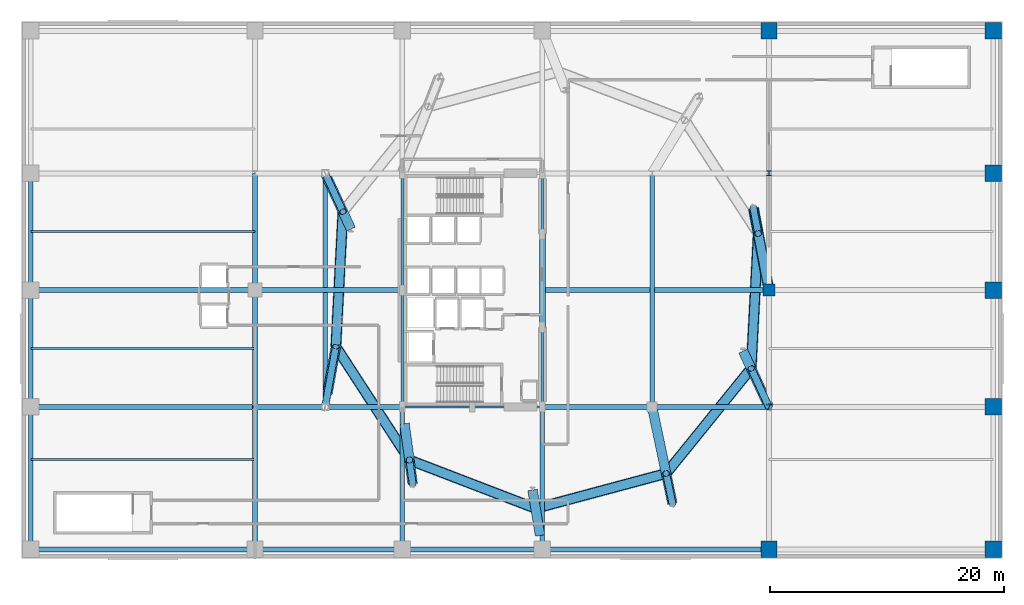
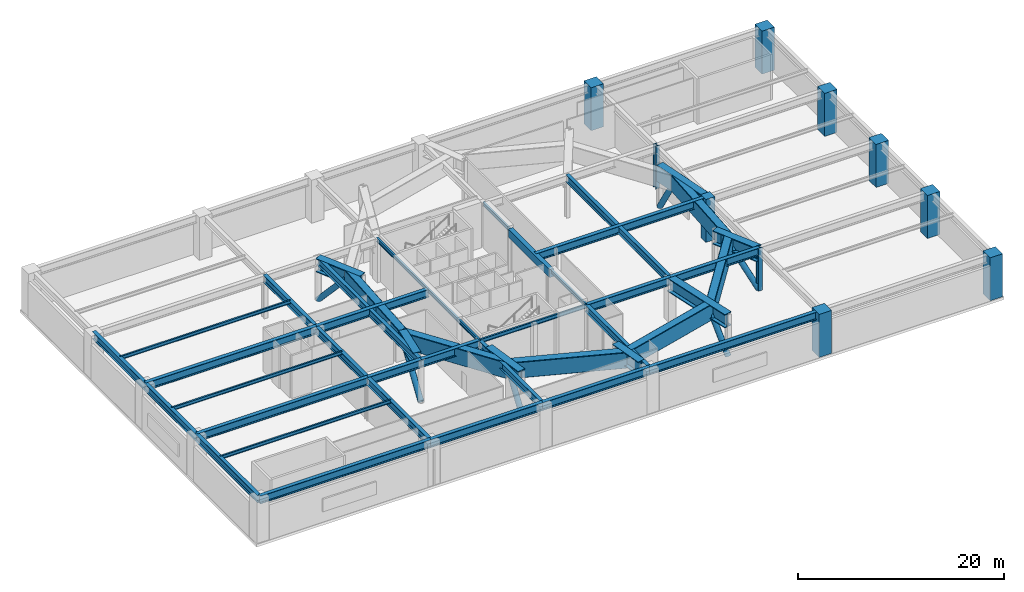
# One storey, part 3 of 12: 45 beams, 10 columns, 6 members.
"""IFC4 building model written with IfcOpenShell, lengths in metres."""

from ifc_helpers import new_model, si_unit, direction, frame, origin, origin_2d, place, context, subcontext, project, spatial, rectangle, hollow_rectangle, hollow_circle, i_section, extrude, material, material_profile, profile_set, type_object, element, save


model = new_model("IFC4")

# Units and contexts
model_context = context("Model", 3, precision=1e-05, world=origin(), true_north=direction((0.0, 1.0)))
body_context = subcontext(model_context, "Body", "Model", "MODEL_VIEW")
ifc_project = project(units=[si_unit("LENGTHUNIT", "METRE"), si_unit("AREAUNIT", "SQUARE_METRE"), si_unit("VOLUMEUNIT", "CUBIC_METRE"), si_unit("PLANEANGLEUNIT", "RADIAN"), si_unit("MASSUNIT", "GRAM", prefix="KILO")], contexts=[model_context])

# Site, building, storey
site_placement = place(None, origin())
site = spatial("IfcSite", under=ifc_project, at=site_placement, CompositionType="ELEMENT")
building_placement = place(site_placement, origin())
building = spatial("IfcBuilding", under=site, at=building_placement, Name="Soratama Intermodal Tower", CompositionType="ELEMENT")
storey_placement = place(building_placement, frame((0.0, 0.0, 25.199951171875)))
storey = spatial("IfcBuildingStorey", under=building, at=storey_placement, Name="L05", CompositionType="ELEMENT", Elevation=25.199951171875)

# Columns
ifc_material_1 = material(Name="Concrete f'c 56 MPa", Category="concrete")
ifc_material_profile_1 = material_profile(ifc_material_1, rectangle(XDim=1.39990234375, YDim=1.39990234375, at=origin_2d()), Name="RC1400X1400")
ifc_profile_set_1 = profile_set([ifc_material_profile_1], Name="Concrete f'c 56 MPa")
column_type_1 = type_object("IfcColumnType", Name="COL-POD-EXT-RC1400", PredefinedType="COLUMN", material=ifc_profile_set_1)
for number, where, z_axis, x_axis, name in (
    (1, (64.0, 2.800048828125, 0.0), (0.0, 0.0, 1.0), (1.0, 0.0, 0.0), "L05 Station Column P03"),
    (2, (83.199951171875, 2.800048828125, 0.0), (0.0, 0.0, 1.0), (1.0, 0.0, 0.0), "L05 Station Column P04"),
    (3, (83.199951171875, 15.0, 0.0), (0.0, 0.0, 1.0), (1.0, 0.0, 0.0), "L05 Station Column P08"),
    (4, (83.199951171875, 35.0, 0.0), (0.0, 0.0, 1.0), (1.0, 0.0, 0.0), "L05 Station Column P12"),
    (5, (64.0, 47.199951171875, 0.0), (0.0, 0.0, 1.0), (1.0, 0.0, 0.0), "L05 Station Column P15"),
    (6, (83.199951171875, 47.199951171875, 0.0), (0.0, 0.0, 1.0), (1.0, 0.0, 0.0), "L05 Station Column P16"),
    (7, (83.199951171875, 25.0, 0.0), (0.0, 0.0, 1.0), (1.0, 0.0, 0.0), "L05 Station Column P20"),
):
    element("IfcColumn", number, at=place(storey_placement, frame(where, z_axis=z_axis, x_axis=x_axis)), inside=storey, type_object=column_type_1, Name=name, PredefinedType="COLUMN", context=body_context, shape_type="SweptSolid", body=[
        extrude(rectangle(XDim=1.39990234375, YDim=1.39990234375, at=origin_2d()), origin(), (0.0, 0.0, 1.0), 5.10009765625),
    ])
ifc_material_2 = material(Name="Concrete f'c 56 MPa", Category="concrete")
ifc_material_profile_2 = material_profile(ifc_material_2, rectangle(XDim=1.0, YDim=1.0, at=origin_2d()), Name="RC1000X1000")
ifc_profile_set_2 = profile_set([ifc_material_profile_2], Name="Concrete f'c 56 MPa")
column_type_2 = type_object("IfcColumnType", Name="COL-POD-RC1000", PredefinedType="COLUMN", material=ifc_profile_set_2)
column_placement = place(storey_placement, frame((64.0, 25.0, 0.0), z_axis=(0.0, 0.0, 1.0), x_axis=(1.0, 0.0, 0.0)))
element("IfcColumn", 8, at=column_placement, inside=storey, type_object=column_type_2, Name="L05 Station Column P19", PredefinedType="COLUMN", context=body_context, shape_type="SweptSolid", body=[
    extrude(rectangle(XDim=1.0, YDim=1.0, at=origin_2d()), origin(), (0.0, 0.0, 1.0), 5.10009765625),
])
ifc_material_3 = material(Name="Structural steel ASTM A992 Grade 50", Category="steel")
ifc_material_profile_3 = material_profile(ifc_material_3, i_section(OverallWidth=0.431884765625, OverallDepth=0.498046875, WebThickness=0.0556640625, FlangeThickness=0.0888671875, FilletRadius=0.0380859375, at=origin_2d()), Name="W14X500")
ifc_profile_set_3 = profile_set([ifc_material_profile_3], Name="Structural steel ASTM A992 Grade 50")
column_type_3 = type_object("IfcColumnType", Name="COL-POD-W14X500", PredefinedType="COLUMN", material=ifc_profile_set_3)
for number, where, z_axis, x_axis, name in (
    (9, (64.0, 15.0, 0.0), (0.0, 0.0, 1.0), (1.0, 0.0, 0.0), "L05 Station Column P07"),
    (10, (64.0, 35.0, 0.0), (0.0, 0.0, 1.0), (1.0, 0.0, 0.0), "L05 Station Column P11"),
):
    element("IfcColumn", number, at=place(storey_placement, frame(where, z_axis=z_axis, x_axis=x_axis)), inside=storey, type_object=column_type_3, Name=name, PredefinedType="COLUMN", context=body_context, shape_type="SweptSolid", body=[
        extrude(i_section(OverallWidth=0.431884765625, OverallDepth=0.498046875, WebThickness=0.0556640625, FlangeThickness=0.0888671875, FilletRadius=0.0380859375, at=origin_2d()), origin(), (0.0, 0.0, 1.0), 5.10009765625),
    ])

# Beams
ifc_material_4 = material(Name="Concrete f'c 56 MPa", Category="concrete")
ifc_material_profile_4 = material_profile(ifc_material_4, rectangle(XDim=0.5, YDim=0.949951171875, at=origin_2d()), Name="RC500X950")
ifc_profile_set_4 = profile_set([ifc_material_profile_4], Name="Concrete f'c 56 MPa")
beam_type_1 = type_object("IfcBeamType", Name="BM-CPL-RC500X950", PredefinedType="BEAM", material=ifc_profile_set_4)
beam_1_placement = place(storey_placement, frame((44.60009765625, 21.800048828125, 4.625), z_axis=(0.0, 1.0, 0.0), x_axis=(-1.0, 0.0, 0.0)))
element("IfcBeam", 11, at=beam_1_placement, inside=storey, type_object=beam_type_1, Name="L05 Core Coupling Beam East", PredefinedType="BEAM", context=body_context, shape_type="SweptSolid", body=[
    extrude(rectangle(XDim=0.5, YDim=0.949951171875, at=origin_2d()), origin(), (0.0, 0.0, 1.0), 8.0),
])
ifc_material_5 = material(Name="Structural steel ASTM A992 Grade 50", Category="steel")
ifc_material_profile_5 = material_profile(ifc_material_5, i_section(OverallWidth=0.19091796875, OverallDepth=0.4599609375, WebThickness=0.010009765625, FlangeThickness=0.01611328125, FilletRadius=0.010986328125, at=origin_2d()), Name="W18X55")
ifc_profile_set_5 = profile_set([ifc_material_profile_5], Name="Structural steel ASTM A992 Grade 50")
beam_type_2 = type_object("IfcBeamType", Name="BM-FLR-W18X55", PredefinedType="BEAM", material=ifc_profile_set_5)
for number, where, z_axis, x_axis, name in (
    (12, (32.60009765625, 15.0, 4.8701171875), (1.0, 0.0, 0.0), (0.0, 1.0, 0.0), "BM-L05-CRING-01"),
    (13, (38.60009765625, 15.0, 4.8701171875), (1.0, 0.0, 0.0), (0.0, 1.0, 0.0), "BM-L05-CRING-02"),
):
    element("IfcBeam", number, at=place(storey_placement, frame(where, z_axis=z_axis, x_axis=x_axis)), inside=storey, type_object=beam_type_2, Name=name, PredefinedType="BEAM", context=body_context, shape_type="SweptSolid", body=[
        extrude(i_section(OverallWidth=0.19091796875, OverallDepth=0.4599609375, WebThickness=0.010009765625, FlangeThickness=0.01611328125, FilletRadius=0.010986328125, at=origin_2d()), origin(), (0.0, 0.0, 1.0), 6.0),
    ])
beam_2_placement = place(storey_placement, frame((44.60009765625, 15.0, 4.8701171875), z_axis=(0.0, 1.0, 0.0), x_axis=(-1.0, 0.0, 0.0)))
element("IfcBeam", 14, at=beam_2_placement, inside=storey, type_object=beam_type_2, Name="BM-L05-CRING-03", PredefinedType="BEAM", context=body_context, shape_type="SweptSolid", body=[
    extrude(i_section(OverallWidth=0.19091796875, OverallDepth=0.4599609375, WebThickness=0.010009765625, FlangeThickness=0.01611328125, FilletRadius=0.010986328125, at=origin_2d()), origin(), (0.0, 0.0, 1.0), 6.800048828125),
])
beam_3_placement = place(storey_placement, frame((44.60009765625, 29.800048828125, 4.8701171875), z_axis=(0.0, 1.0, 0.0), x_axis=(-1.0, 0.0, 0.0)))
element("IfcBeam", 15, at=beam_3_placement, inside=storey, type_object=beam_type_2, Name="BM-L05-CRING-05", PredefinedType="BEAM", context=body_context, shape_type="SweptSolid", body=[
    extrude(i_section(OverallWidth=0.19091796875, OverallDepth=0.4599609375, WebThickness=0.010009765625, FlangeThickness=0.01611328125, FilletRadius=0.010986328125, at=origin_2d()), origin(), (0.0, 0.0, 1.0), 5.199951171875),
])
for number, where, z_axis, x_axis, name in (
    (16, (32.60009765625, 35.0, 4.8701171875), (0.0, -1.0, 0.0), (1.0, 0.0, 0.0), "BM-L05-CRING-08"),
    (17, (32.60009765625, 25.0, 4.8701171875), (0.0, -1.0, 0.0), (1.0, 0.0, 0.0), "BM-L05-CRING-09"),
):
    element("IfcBeam", number, at=place(storey_placement, frame(where, z_axis=z_axis, x_axis=x_axis)), inside=storey, type_object=beam_type_2, Name=name, PredefinedType="BEAM", context=body_context, shape_type="SweptSolid", body=[
        extrude(i_section(OverallWidth=0.19091796875, OverallDepth=0.4599609375, WebThickness=0.010009765625, FlangeThickness=0.01611328125, FilletRadius=0.010986328125, at=origin_2d()), origin(), (0.0, 0.0, 1.0), 10.0),
    ])
ifc_material_6 = material(Name="Structural steel ASTM A992 Grade 50", Category="steel")
ifc_material_profile_6 = material_profile(ifc_material_6, i_section(OverallWidth=0.177978515625, OverallDepth=0.406982421875, WebThickness=0.0078125, FlangeThickness=0.0126953125, FilletRadius=0.010009765625, at=origin_2d()), Name="W16X40")
ifc_profile_set_6 = profile_set([ifc_material_profile_6], Name="Structural steel ASTM A992 Grade 50")
beam_type_3 = type_object("IfcBeamType", Name="BM-JST-W16X40", PredefinedType="JOIST", material=ifc_profile_set_6)
for number, where, z_axis, x_axis, name in (
    (18, (0.800048828125, 10.5, 4.896484375), (1.0, 0.0, 0.0), (0.0, 1.0, 0.0), "JST-L05-W1"),
    (19, (0.800048828125, 20.0, 4.896484375), (1.0, 0.0, 0.0), (0.0, 1.0, 0.0), "JST-L05-W2"),
    (20, (0.800048828125, 30.0, 4.896484375), (1.0, 0.0, 0.0), (0.0, 1.0, 0.0), "JST-L05-W3"),
):
    element("IfcBeam", number, at=place(storey_placement, frame(where, z_axis=z_axis, x_axis=x_axis)), inside=storey, type_object=beam_type_3, Name=name, PredefinedType="JOIST", context=body_context, shape_type="SweptSolid", body=[
        extrude(i_section(OverallWidth=0.177978515625, OverallDepth=0.406982421875, WebThickness=0.0078125, FlangeThickness=0.0126953125, FilletRadius=0.010009765625, at=origin_2d()), origin(), (0.0, 0.0, 1.0), 19.199951171875),
    ])
ifc_material_7 = material(Name="Structural steel ASTM A992 Grade 50", Category="steel")
ifc_material_profile_7 = material_profile(ifc_material_7, i_section(OverallWidth=0.403076171875, OverallDepth=0.867919921875, WebThickness=0.02099609375, FlangeThickness=0.03564453125, FilletRadius=0.01806640625, at=origin_2d()), Name="W33X241")
ifc_profile_set_7 = profile_set([ifc_material_profile_7], Name="Structural steel ASTM A992 Grade 50")
beam_type_4 = type_object("IfcBeamType", Name="BM-POD-EXT-W33", PredefinedType="BEAM", material=ifc_profile_set_7)
beam_4_placement = place(storey_placement, frame((0.800048828125, 2.800048828125, 4.666015625), z_axis=(0.0, 1.0, 0.0), x_axis=(-1.0, 0.0, 0.0)))
element("IfcBeam", 21, at=beam_4_placement, inside=storey, type_object=beam_type_4, Name="L05 Station Girder Y1-1", PredefinedType="BEAM", context=body_context, shape_type="SweptSolid", body=[
    extrude(i_section(OverallWidth=0.403076171875, OverallDepth=0.867919921875, WebThickness=0.02099609375, FlangeThickness=0.03564453125, FilletRadius=0.01806640625, at=origin_2d()), origin(), (0.0, 0.0, 1.0), 12.199951171875),
])
for number, where, z_axis, x_axis, name in (
    (22, (0.800048828125, 15.0, 4.666015625), (0.0, 1.0, 0.0), (-1.0, 0.0, 0.0), "L05 Station Girder Y1-2"),
    (23, (0.800048828125, 25.0, 4.666015625), (0.0, 1.0, 0.0), (-1.0, 0.0, 0.0), "L05 Station Girder Y1-3"),
):
    element("IfcBeam", number, at=place(storey_placement, frame(where, z_axis=z_axis, x_axis=x_axis)), inside=storey, type_object=beam_type_4, Name=name, PredefinedType="BEAM", context=body_context, shape_type="SweptSolid", body=[
        extrude(i_section(OverallWidth=0.403076171875, OverallDepth=0.867919921875, WebThickness=0.02099609375, FlangeThickness=0.03564453125, FilletRadius=0.01806640625, at=origin_2d()), origin(), (0.0, 0.0, 1.0), 10.0),
    ])
ifc_material_8 = material(Name="Structural steel ASTM A992 Grade 50", Category="steel")
ifc_material_profile_8 = material_profile(ifc_material_8, i_section(OverallWidth=0.423095703125, OverallDepth=0.93896484375, WebThickness=0.02392578125, FlangeThickness=0.042724609375, FilletRadius=0.02392578125, at=origin_2d()), Name="W36X302")
ifc_profile_set_8 = profile_set([ifc_material_profile_8], Name="Structural steel ASTM A992 Grade 50")
beam_type_5 = type_object("IfcBeamType", Name="BM-POD-EXT-W36", PredefinedType="BEAM", material=ifc_profile_set_8)
beam_5_placement = place(storey_placement, frame((0.800048828125, 2.800048828125, 4.630615234375), z_axis=(1.0, 0.0, 0.0), x_axis=(0.0, 1.0, 0.0)))
element("IfcBeam", 24, at=beam_5_placement, inside=storey, type_object=beam_type_5, Name="L05 Station Girder X1-1", PredefinedType="BEAM", context=body_context, shape_type="SweptSolid", body=[
    extrude(i_section(OverallWidth=0.423095703125, OverallDepth=0.93896484375, WebThickness=0.02392578125, FlangeThickness=0.042724609375, FilletRadius=0.02392578125, at=origin_2d()), origin(), (0.0, 0.0, 1.0), 19.199951171875),
])
beam_6_placement = place(storey_placement, frame((20.0, 2.800048828125, 4.630615234375), z_axis=(1.0, 0.0, 0.0), x_axis=(0.0, 1.0, 0.0)))
element("IfcBeam", 25, at=beam_6_placement, inside=storey, type_object=beam_type_5, Name="L05 Station Girder X1-2", PredefinedType="BEAM", context=body_context, shape_type="SweptSolid", body=[
    extrude(i_section(OverallWidth=0.423095703125, OverallDepth=0.93896484375, WebThickness=0.02392578125, FlangeThickness=0.042724609375, FilletRadius=0.02392578125, at=origin_2d()), origin(), (0.0, 0.0, 1.0), 12.60009765625),
])
beam_7_placement = place(storey_placement, frame((32.60009765625, 2.800048828125, 4.630615234375), z_axis=(1.0, 0.0, 0.0), x_axis=(0.0, 1.0, 0.0)))
element("IfcBeam", 26, at=beam_7_placement, inside=storey, type_object=beam_type_5, Name="L05 Station Girder X1-3", PredefinedType="BEAM", context=body_context, shape_type="SweptSolid", body=[
    extrude(i_section(OverallWidth=0.423095703125, OverallDepth=0.93896484375, WebThickness=0.02392578125, FlangeThickness=0.042724609375, FilletRadius=0.02392578125, at=origin_2d()), origin(), (0.0, 0.0, 1.0), 12.0),
])
beam_8_placement = place(storey_placement, frame((44.60009765625, 2.800048828125, 4.630615234375), z_axis=(1.0, 0.0, 0.0), x_axis=(0.0, 1.0, 0.0)))
element("IfcBeam", 27, at=beam_8_placement, inside=storey, type_object=beam_type_5, Name="L05 Station Girder X1-4", PredefinedType="BEAM", context=body_context, shape_type="SweptSolid", body=[
    extrude(i_section(OverallWidth=0.423095703125, OverallDepth=0.93896484375, WebThickness=0.02392578125, FlangeThickness=0.042724609375, FilletRadius=0.02392578125, at=origin_2d()), origin(), (0.0, 0.0, 1.0), 19.39990234375),
])
ifc_material_9 = material(Name="Structural steel ASTM A992 Grade 50", Category="steel")
ifc_material_profile_9 = material_profile(ifc_material_9, i_section(OverallWidth=0.403076171875, OverallDepth=0.867919921875, WebThickness=0.02099609375, FlangeThickness=0.03564453125, FilletRadius=0.01806640625, at=origin_2d()), Name="W33X241")
ifc_profile_set_9 = profile_set([ifc_material_profile_9], Name="Structural steel ASTM A992 Grade 50")
beam_type_6 = type_object("IfcBeamType", Name="BM-POD-W33X241", PredefinedType="BEAM", material=ifc_profile_set_9)
beam_9_placement = place(storey_placement, frame((20.0, 2.800048828125, 4.666015625), z_axis=(0.0, 1.0, 0.0), x_axis=(-1.0, 0.0, 0.0)))
element("IfcBeam", 28, at=beam_9_placement, inside=storey, type_object=beam_type_6, Name="L05 Station Girder Y2-1", PredefinedType="BEAM", context=body_context, shape_type="SweptSolid", body=[
    extrude(i_section(OverallWidth=0.403076171875, OverallDepth=0.867919921875, WebThickness=0.02099609375, FlangeThickness=0.03564453125, FilletRadius=0.01806640625, at=origin_2d()), origin(), (0.0, 0.0, 1.0), 12.199951171875),
])
for number, where, z_axis, x_axis, name in (
    (29, (20.0, 15.0, 4.666015625), (0.0, 1.0, 0.0), (-1.0, 0.0, 0.0), "L05 Station Girder Y2-2"),
    (30, (20.0, 25.0, 4.666015625), (0.0, 1.0, 0.0), (-1.0, 0.0, 0.0), "L05 Station Girder Y2-3"),
):
    element("IfcBeam", number, at=place(storey_placement, frame(where, z_axis=z_axis, x_axis=x_axis)), inside=storey, type_object=beam_type_6, Name=name, PredefinedType="BEAM", context=body_context, shape_type="SweptSolid", body=[
        extrude(i_section(OverallWidth=0.403076171875, OverallDepth=0.867919921875, WebThickness=0.02099609375, FlangeThickness=0.03564453125, FilletRadius=0.01806640625, at=origin_2d()), origin(), (0.0, 0.0, 1.0), 10.0),
    ])
for number, where, z_axis, x_axis, name in (
    (31, (32.60009765625, 2.800048828125, 4.666015625), (0.0, 1.0, 0.0), (-1.0, 0.0, 0.0), "BM-L05-GYC-1-1"),
    (32, (44.60009765625, 2.800048828125, 4.666015625), (0.0, 1.0, 0.0), (-1.0, 0.0, 0.0), "BM-L05-GYC-2-1"),
):
    element("IfcBeam", number, at=place(storey_placement, frame(where, z_axis=z_axis, x_axis=x_axis)), inside=storey, type_object=beam_type_6, Name=name, PredefinedType="BEAM", context=body_context, shape_type="SweptSolid", body=[
        extrude(i_section(OverallWidth=0.403076171875, OverallDepth=0.867919921875, WebThickness=0.02099609375, FlangeThickness=0.03564453125, FilletRadius=0.01806640625, at=origin_2d()), origin(), (0.0, 0.0, 1.0), 12.199951171875),
    ])
for number, where, z_axis, x_axis, name in (
    (33, (26.0, 15.0, 4.666015625), (0.0, 1.0, 0.0), (-1.0, 0.0, 0.0), "BM-L05-GYS-1"),
    (34, (54.0, 15.0, 4.666015625), (0.0, 1.0, 0.0), (-1.0, 0.0, 0.0), "BM-L05-GYS-2"),
):
    element("IfcBeam", number, at=place(storey_placement, frame(where, z_axis=z_axis, x_axis=x_axis)), inside=storey, type_object=beam_type_6, Name=name, PredefinedType="BEAM", context=body_context, shape_type="SweptSolid", body=[
        extrude(i_section(OverallWidth=0.403076171875, OverallDepth=0.867919921875, WebThickness=0.02099609375, FlangeThickness=0.03564453125, FilletRadius=0.01806640625, at=origin_2d()), origin(), (0.0, 0.0, 1.0), 20.0),
    ])
ifc_material_10 = material(Name="Structural steel ASTM A992 Grade 50", Category="steel")
ifc_material_profile_10 = material_profile(ifc_material_10, i_section(OverallWidth=0.423095703125, OverallDepth=0.93896484375, WebThickness=0.02392578125, FlangeThickness=0.042724609375, FilletRadius=0.02392578125, at=origin_2d()), Name="W36X302")
ifc_profile_set_10 = profile_set([ifc_material_profile_10], Name="Structural steel ASTM A992 Grade 50")
beam_type_7 = type_object("IfcBeamType", Name="BM-POD-W36X302", PredefinedType="BEAM", material=ifc_profile_set_10)
beam_10_placement = place(storey_placement, frame((0.800048828125, 15.0, 4.630615234375), z_axis=(1.0, 0.0, 0.0), x_axis=(0.0, 1.0, 0.0)))
element("IfcBeam", 35, at=beam_10_placement, inside=storey, type_object=beam_type_7, Name="L05 Station Girder X2-1", PredefinedType="BEAM", context=body_context, shape_type="SweptSolid", body=[
    extrude(i_section(OverallWidth=0.423095703125, OverallDepth=0.93896484375, WebThickness=0.02392578125, FlangeThickness=0.042724609375, FilletRadius=0.02392578125, at=origin_2d()), origin(), (0.0, 0.0, 1.0), 19.199951171875),
])
beam_11_placement = place(storey_placement, frame((20.0, 15.0, 4.630615234375), z_axis=(1.0, 0.0, 0.0), x_axis=(0.0, 1.0, 0.0)))
element("IfcBeam", 36, at=beam_11_placement, inside=storey, type_object=beam_type_7, Name="L05 Station Girder X2-2", PredefinedType="BEAM", context=body_context, shape_type="SweptSolid", body=[
    extrude(i_section(OverallWidth=0.423095703125, OverallDepth=0.93896484375, WebThickness=0.02392578125, FlangeThickness=0.042724609375, FilletRadius=0.02392578125, at=origin_2d()), origin(), (0.0, 0.0, 1.0), 6.0),
])
beam_12_placement = place(storey_placement, frame((26.0, 15.0, 4.630615234375), z_axis=(1.0, 0.0, 0.0), x_axis=(0.0, 1.0, 0.0)))
element("IfcBeam", 37, at=beam_12_placement, inside=storey, type_object=beam_type_7, Name="L05 Station Girder X2-3", PredefinedType="BEAM", context=body_context, shape_type="SweptSolid", body=[
    extrude(i_section(OverallWidth=0.423095703125, OverallDepth=0.93896484375, WebThickness=0.02392578125, FlangeThickness=0.042724609375, FilletRadius=0.02392578125, at=origin_2d()), origin(), (0.0, 0.0, 1.0), 6.60009765625),
])
beam_13_placement = place(storey_placement, frame((44.60009765625, 15.0, 4.630615234375), z_axis=(1.0, 0.0, 0.0), x_axis=(0.0, 1.0, 0.0)))
element("IfcBeam", 38, at=beam_13_placement, inside=storey, type_object=beam_type_7, Name="L05 Station Girder X2-4", PredefinedType="BEAM", context=body_context, shape_type="SweptSolid", body=[
    extrude(i_section(OverallWidth=0.423095703125, OverallDepth=0.93896484375, WebThickness=0.02392578125, FlangeThickness=0.042724609375, FilletRadius=0.02392578125, at=origin_2d()), origin(), (0.0, 0.0, 1.0), 9.39990234375),
])
beam_14_placement = place(storey_placement, frame((54.0, 15.0, 4.630615234375), z_axis=(1.0, 0.0, 0.0), x_axis=(0.0, 1.0, 0.0)))
element("IfcBeam", 39, at=beam_14_placement, inside=storey, type_object=beam_type_7, Name="L05 Station Girder X2-5", PredefinedType="BEAM", context=body_context, shape_type="SweptSolid", body=[
    extrude(i_section(OverallWidth=0.423095703125, OverallDepth=0.93896484375, WebThickness=0.02392578125, FlangeThickness=0.042724609375, FilletRadius=0.02392578125, at=origin_2d()), origin(), (0.0, 0.0, 1.0), 10.0),
])
beam_15_placement = place(storey_placement, frame((20.0, 25.0, 4.630615234375), z_axis=(1.0, 0.0, 0.0), x_axis=(0.0, 1.0, 0.0)))
element("IfcBeam", 40, at=beam_15_placement, inside=storey, type_object=beam_type_7, Name="L05 Station Girder X3-1", PredefinedType="BEAM", context=body_context, shape_type="SweptSolid", body=[
    extrude(i_section(OverallWidth=0.423095703125, OverallDepth=0.93896484375, WebThickness=0.02392578125, FlangeThickness=0.042724609375, FilletRadius=0.02392578125, at=origin_2d()), origin(), (0.0, 0.0, 1.0), 12.60009765625),
])
beam_16_placement = place(storey_placement, frame((44.60009765625, 25.0, 4.630615234375), z_axis=(1.0, 0.0, 0.0), x_axis=(0.0, 1.0, 0.0)))
element("IfcBeam", 41, at=beam_16_placement, inside=storey, type_object=beam_type_7, Name="L05 Station Girder X3-2", PredefinedType="BEAM", context=body_context, shape_type="SweptSolid", body=[
    extrude(i_section(OverallWidth=0.423095703125, OverallDepth=0.93896484375, WebThickness=0.02392578125, FlangeThickness=0.042724609375, FilletRadius=0.02392578125, at=origin_2d()), origin(), (0.0, 0.0, 1.0), 19.39990234375),
])
beam_17_placement = place(storey_placement, frame((0.800048828125, 25.0, 4.630615234375), z_axis=(1.0, 0.0, 0.0), x_axis=(0.0, 1.0, 0.0)))
element("IfcBeam", 42, at=beam_17_placement, inside=storey, type_object=beam_type_7, Name="L05 Station Girder X3-4", PredefinedType="BEAM", context=body_context, shape_type="SweptSolid", body=[
    extrude(i_section(OverallWidth=0.423095703125, OverallDepth=0.93896484375, WebThickness=0.02392578125, FlangeThickness=0.042724609375, FilletRadius=0.02392578125, at=origin_2d()), origin(), (0.0, 0.0, 1.0), 19.199951171875),
])
ifc_material_11 = material(Name="Structural steel ASTM A572 Grade 50", Category="steel")
ifc_material_profile_11 = material_profile(ifc_material_11, hollow_rectangle(XDim=0.89990234375, YDim=1.919921875, WallThickness=0.0439453125, InnerFilletRadius=0.0439453125, OuterFilletRadius=0.087890625, at=origin_2d()), Name="BOX1600X900X40")
ifc_profile_set_11 = profile_set([ifc_material_profile_11], Name="Structural steel ASTM A572 Grade 50")
beam_type_8 = type_object("IfcBeamType", Name="BM-XFER-BOX1600", PredefinedType="BEAM", material=ifc_profile_set_11)
beam_18_placement = place(storey_placement, frame((27.52294921875, 31.708984375, 4.14013671875), z_axis=(-0.052289698717, -0.998631957935, 0.0), x_axis=(0.998631957935, -0.052289698717, 0.0)))
element("IfcBeam", 43, at=beam_18_placement, inside=storey, type_object=beam_type_8, Name="BM-L05-XFRING-05", PredefinedType="BEAM", context=body_context, shape_type="SweptSolid", body=[
    extrude(hollow_rectangle(XDim=0.89990234375, YDim=1.919921875, WallThickness=0.0439453125, InnerFilletRadius=0.0439453125, OuterFilletRadius=0.087890625, at=origin_2d()), origin(), (0.0, 0.0, 1.0), 11.56982421875),
])
beam_19_placement = place(storey_placement, frame((26.91796875, 20.155029296875, 4.14013671875), z_axis=(0.544623370352, -0.838680740489, 0.0), x_axis=(0.838680740489, 0.544623370352, 0.0)))
element("IfcBeam", 44, at=beam_19_placement, inside=storey, type_object=beam_type_8, Name="BM-L05-XFRING-06", PredefinedType="BEAM", context=body_context, shape_type="SweptSolid", body=[
    extrude(hollow_rectangle(XDim=0.89990234375, YDim=1.919921875, WallThickness=0.0439453125, InnerFilletRadius=0.0439453125, OuterFilletRadius=0.087890625, at=origin_2d()), origin(), (0.0, 0.0, 1.0), 11.569580078125),
])
beam_20_placement = place(storey_placement, frame((33.218994140625, 10.451904296875, 4.14013671875), z_axis=(0.933584159632, -0.358358224246, 0.0), x_axis=(0.358358224246, 0.933584159632, 0.0)))
element("IfcBeam", 45, at=beam_20_placement, inside=storey, type_object=beam_type_8, Name="BM-L05-XFRING-07", PredefinedType="BEAM", context=body_context, shape_type="SweptSolid", body=[
    extrude(hollow_rectangle(XDim=0.89990234375, YDim=1.919921875, WallThickness=0.0439453125, InnerFilletRadius=0.0439453125, OuterFilletRadius=0.087890625, at=origin_2d()), origin(), (0.0, 0.0, 1.0), 11.5693359375),
])
beam_21_placement = place(storey_placement, frame((44.02001953125, 6.305908203125, 4.14013671875), z_axis=(0.965935902196, 0.258781438376, 0.0), x_axis=(-0.258781438376, 0.965935902196, 0.0)))
element("IfcBeam", 46, at=beam_21_placement, inside=storey, type_object=beam_type_8, Name="BM-L05-XFRING-08", PredefinedType="BEAM", context=body_context, shape_type="SweptSolid", body=[
    extrude(hollow_rectangle(XDim=0.89990234375, YDim=1.919921875, WallThickness=0.0439453125, InnerFilletRadius=0.0439453125, OuterFilletRadius=0.087890625, at=origin_2d()), origin(), (0.0, 0.0, 1.0), 11.570068359375),
])
beam_22_placement = place(storey_placement, frame((55.196044921875, 9.300048828125, 4.14013671875), z_axis=(0.629334198857, 0.777134779912, 0.0), x_axis=(-0.777134779912, 0.629334198857, 0.0)))
element("IfcBeam", 47, at=beam_22_placement, inside=storey, type_object=beam_type_8, Name="BM-L05-XFRING-09", PredefinedType="BEAM", context=body_context, shape_type="SweptSolid", body=[
    extrude(hollow_rectangle(XDim=0.89990234375, YDim=1.919921875, WallThickness=0.0439453125, InnerFilletRadius=0.0439453125, OuterFilletRadius=0.087890625, at=origin_2d()), origin(), (0.0, 0.0, 1.0), 11.5693359375),
])
beam_23_placement = place(storey_placement, frame((62.47705078125, 18.291015625, 4.14013671875), z_axis=(0.052289698717, 0.998631957935, 0.0), x_axis=(-0.998631957935, 0.052289698717, 0.0)))
element("IfcBeam", 48, at=beam_23_placement, inside=storey, type_object=beam_type_8, Name="BM-L05-XFRING-10", PredefinedType="BEAM", context=body_context, shape_type="SweptSolid", body=[
    extrude(hollow_rectangle(XDim=0.89990234375, YDim=1.919921875, WallThickness=0.0439453125, InnerFilletRadius=0.0439453125, OuterFilletRadius=0.087890625, at=origin_2d()), origin(), (0.0, 0.0, 1.0), 11.56982421875),
])
beam_24_placement = place(storey_placement, frame((64.0, 25.0, 4.14013671875), z_axis=(-0.186164299631, 0.982518627581, 0.0), x_axis=(-0.982518627581, -0.186164299631, 0.0)))
element("IfcBeam", 49, at=beam_24_placement, inside=storey, type_object=beam_type_8, Name="BM-L05-XFRAD-01-1", PredefinedType="BEAM", context=body_context, shape_type="SweptSolid", body=[
    extrude(hollow_rectangle(XDim=0.89990234375, YDim=1.919921875, WallThickness=0.0439453125, InnerFilletRadius=0.0439453125, OuterFilletRadius=0.087890625, at=origin_2d()), origin(), (0.0, 0.0, 1.0), 7.14990234375),
])
ifc_material_12 = material(Name="Structural steel ASTM A992 Grade 50", Category="steel")
ifc_material_profile_12 = material_profile(ifc_material_12, i_section(OverallWidth=0.820068359375, OverallDepth=1.60205078125, WebThickness=0.055908203125, FlangeThickness=0.092041015625, FilletRadius=0.02392578125, at=origin_2d()), Name="PG1600X650")
ifc_profile_set_12 = profile_set([ifc_material_profile_12], Name="Structural steel ASTM A992 Grade 50")
beam_type_9 = type_object("IfcBeamType", Name="BM-ZSTEP-PG1600", PredefinedType="BEAM", material=ifc_profile_set_12)
beam_25_placement = place(storey_placement, frame((26.0, 35.0, 4.299072265625), z_axis=(0.420011715501, -0.907518682365, 0.0), x_axis=(0.907518682365, 0.420011715501, 0.0)))
element("IfcBeam", 50, at=beam_25_placement, inside=storey, type_object=beam_type_9, Name="BM-L05-XFRAD-05-1", PredefinedType="BEAM", context=body_context, shape_type="SweptSolid", body=[
    extrude(i_section(OverallWidth=0.820068359375, OverallDepth=1.60205078125, WebThickness=0.055908203125, FlangeThickness=0.092041015625, FilletRadius=0.02392578125, at=origin_2d()), origin(), (0.0, 0.0, 1.0), 5.25927734375),
])
beam_26_placement = place(storey_placement, frame((26.197021484375, 16.10400390625, 4.299072265625), z_axis=(0.175213549479, 0.984530452591, 0.0), x_axis=(-0.984530452591, 0.175213549479, 0.0)))
element("IfcBeam", 51, at=beam_26_placement, inside=storey, type_object=beam_type_9, Name="BM-L05-XFRAD-06-1", PredefinedType="BEAM", context=body_context, shape_type="SweptSolid", body=[
    extrude(i_section(OverallWidth=0.820068359375, OverallDepth=1.60205078125, WebThickness=0.055908203125, FlangeThickness=0.092041015625, FilletRadius=0.02392578125, at=origin_2d()), origin(), (0.0, 0.0, 1.0), 4.11474609375),
])
beam_27_placement = place(storey_placement, frame((32.797119140625, 13.556884765625, 4.299072265625), z_axis=(0.134811459174, -0.990871268367, 0.0), x_axis=(0.990871268367, 0.134811459174, 0.0)))
element("IfcBeam", 52, at=beam_27_placement, inside=storey, type_object=beam_type_9, Name="BM-L05-XFRAD-07-1", PredefinedType="BEAM", context=body_context, shape_type="SweptSolid", body=[
    extrude(i_section(OverallWidth=0.820068359375, OverallDepth=1.60205078125, WebThickness=0.055908203125, FlangeThickness=0.092041015625, FilletRadius=0.02392578125, at=origin_2d()), origin(), (0.0, 0.0, 1.0), 5.19921875),
])
beam_28_placement = place(storey_placement, frame((44.404052734375, 3.988037109375, 4.299072265625), z_axis=(-0.163376064545, 0.986563865917, 0.0), x_axis=(-0.986563865917, -0.163376064545, 0.0)))
element("IfcBeam", 53, at=beam_28_placement, inside=storey, type_object=beam_type_9, Name="BM-L05-XFRAD-08-1", PredefinedType="BEAM", context=body_context, shape_type="SweptSolid", body=[
    extrude(i_section(OverallWidth=0.820068359375, OverallDepth=1.60205078125, WebThickness=0.055908203125, FlangeThickness=0.092041015625, FilletRadius=0.02392578125, at=origin_2d()), origin(), (0.0, 0.0, 1.0), 3.947998046875),
])
beam_29_placement = place(storey_placement, frame((54.0, 15.0, 4.299072265625), z_axis=(0.205319807165, -0.978694935506, 0.0), x_axis=(0.978694935506, 0.205319807165, 0.0)))
element("IfcBeam", 54, at=beam_29_placement, inside=storey, type_object=beam_type_9, Name="BM-L05-XFRAD-09-1", PredefinedType="BEAM", context=body_context, shape_type="SweptSolid", body=[
    extrude(i_section(OverallWidth=0.820068359375, OverallDepth=1.60205078125, WebThickness=0.055908203125, FlangeThickness=0.092041015625, FilletRadius=0.02392578125, at=origin_2d()), origin(), (0.0, 0.0, 1.0), 8.44482421875),
])
beam_30_placement = place(storey_placement, frame((64.0, 15.0, 4.299072265625), z_axis=(-0.420011715501, 0.907518682365, 0.0), x_axis=(-0.907518682365, -0.420011715501, 0.0)))
element("IfcBeam", 55, at=beam_30_placement, inside=storey, type_object=beam_type_9, Name="BM-L05-XFRAD-10-1", PredefinedType="BEAM", context=body_context, shape_type="SweptSolid", body=[
    extrude(i_section(OverallWidth=0.820068359375, OverallDepth=1.60205078125, WebThickness=0.055908203125, FlangeThickness=0.092041015625, FilletRadius=0.02392578125, at=origin_2d()), origin(), (0.0, 0.0, 1.0), 5.25927734375),
])

# Members
ifc_material_13 = material(Name="Structural steel ASTM A500 Grade C", Category="steel")
ifc_material_profile_13 = material_profile(ifc_material_13, hollow_circle(Radius=0.304931640625, WallThickness=0.02197265625, at=origin_2d()), Name="CHS610X22")
ifc_profile_set_13 = profile_set([ifc_material_profile_13], Name="Structural steel ASTM A500 Grade C")
member_type = type_object("IfcMemberType", Name="MB-XFR-CHS610", PredefinedType="BRACE", material=ifc_profile_set_13)
member_1_placement = place(storey_placement, frame((62.6689453125, 32.02490234375, 0.010009765625), z_axis=(0.088111026174, -0.464926265772, 0.880954036521), x_axis=(0.982511525007, 0.186201780949, 0.0)))
element("IfcMember", 56, at=member_1_placement, inside=storey, type_object=member_type, Name="L05 Transfer Truss Diagonal 01", PredefinedType="BRACE", context=body_context, shape_type="SweptSolid", body=[
    extrude(hollow_circle(Radius=0.304931640625, WallThickness=0.02197265625, at=origin_2d()), origin(), (0.0, 0.0, 1.0), 4.688232421875),
])
member_2_placement = place(storey_placement, frame((26.0, 35.0, 0.010009765625), z_axis=(0.277159068614, -0.598823487669, 0.751394224959), x_axis=(0.907509673824, 0.420031179696, 0.0)))
element("IfcMember", 57, at=member_2_placement, inside=storey, type_object=member_type, Name="L05 Transfer Truss Diagonal 05", PredefinedType="BRACE", context=body_context, shape_type="SweptSolid", body=[
    extrude(hollow_circle(Radius=0.304931640625, WallThickness=0.02197265625, at=origin_2d()), origin(), (0.0, 0.0, 1.0), 5.49658203125),
])
member_3_placement = place(storey_placement, frame((26.0, 15.0, 0.010009765625), z_axis=(0.137651988616, 0.772974491393, 0.619324120058), x_axis=(-0.984511037943, 0.17532260598, 0.0)))
element("IfcMember", 58, at=member_3_placement, inside=storey, type_object=member_type, Name="L05 Transfer Truss Diagonal 06", PredefinedType="BRACE", context=body_context, shape_type="SweptSolid", body=[
    extrude(hollow_circle(Radius=0.304931640625, WallThickness=0.02197265625, at=origin_2d()), origin(), (0.0, 0.0, 1.0), 6.668701171875),
])
member_4_placement = place(storey_placement, frame((33.498046875, 8.405029296875, 0.010009765625), z_axis=(-0.060427761268, 0.443242651333, 0.894362587381), x_axis=(-0.990834482486, -0.135081561722, 0.0)))
element("IfcMember", 59, at=member_4_placement, inside=storey, type_object=member_type, Name="L05 Transfer Truss Diagonal 07", PredefinedType="BRACE", context=body_context, shape_type="SweptSolid", body=[
    extrude(hollow_circle(Radius=0.304931640625, WallThickness=0.02197265625, at=origin_2d()), origin(), (0.0, 0.0, 1.0), 4.617919921875),
])
member_5_placement = place(storey_placement, frame((55.73388671875, 6.735107421875, 0.010009765625), z_axis=(-0.110054421359, 0.52436814095, 0.844349499376), x_axis=(-0.978677097633, -0.205404816322, 0.0)))
element("IfcMember", 60, at=member_5_placement, inside=storey, type_object=member_type, Name="L05 Transfer Truss Diagonal 09", PredefinedType="BRACE", context=body_context, shape_type="SweptSolid", body=[
    extrude(hollow_circle(Radius=0.304931640625, WallThickness=0.02197265625, at=origin_2d()), origin(), (0.0, 0.0, 1.0), 4.8916015625),
])
member_6_placement = place(storey_placement, frame((64.0, 15.0, 0.010009765625), z_axis=(-0.277159068614, 0.598823487669, 0.751394224959), x_axis=(-0.907509673824, -0.420031179696, 0.0)))
element("IfcMember", 61, at=member_6_placement, inside=storey, type_object=member_type, Name="L05 Transfer Truss Diagonal 10", PredefinedType="BRACE", context=body_context, shape_type="SweptSolid", body=[
    extrude(hollow_circle(Radius=0.304931640625, WallThickness=0.02197265625, at=origin_2d()), origin(), (0.0, 0.0, 1.0), 5.49658203125),
])

save(model, "model.ifc")
